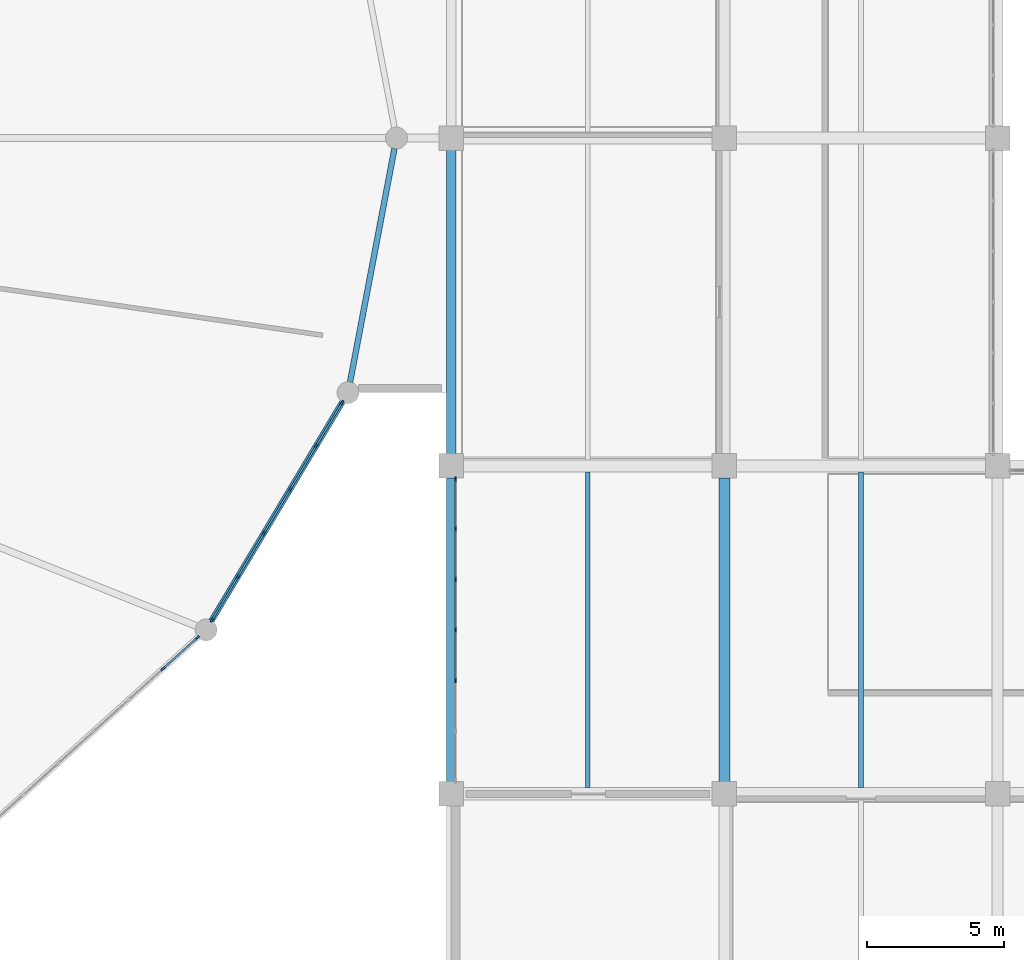
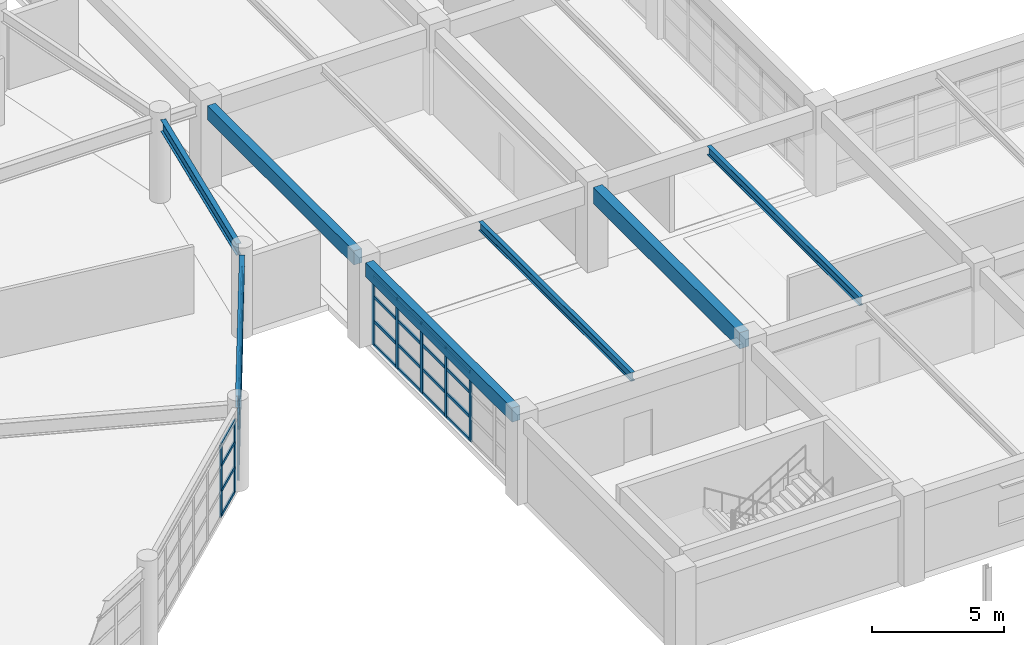
# One storey, part 41 of 100: 53 members, 7 beams, 3 elements without a shape of their own.
"""IFC4 building model written with IfcOpenShell, lengths in metres."""

import ifcopenshell
import ifcopenshell.guid

model = None  # the IFC model being written
_history = None  # IfcOwnerHistory: only IFC2X3 demands one
_inside = {}  # id of a spatial element -> (the spatial element, [elements in it])
_under = {}  # id of a project, library or spatial element -> (it, [spatial elements below it])
_declared = {}  # id of a project -> (the project, [libraries it declares])
_typed = {}  # id of a type object -> (the type object, [elements of that type])
_made_of = {}  # id of a material, layer set ... -> (it, [elements and type objects made of it])


def new_model(schema):
    """Start an empty IFC model of exactly this schema.

    Asked for "IFC4X3", IfcOpenShell would pick the latest addendum, in which some entities
    have other attributes; the version numbers below select the first issue.
    IFC2X3 requires an IfcOwnerHistory on every rooted entity: one is made here for all.
    """
    global model, _history
    if schema == "IFC4X3":
        model = ifcopenshell.file(schema_version=(4, 3, 0, 0))
    else:
        model = ifcopenshell.file(schema=schema)
    _inside.clear()
    _under.clear()
    _declared.clear()
    _typed.clear()
    _made_of.clear()
    _history = None
    if model.schema == "IFC2X3":
        org = make("IfcOrganization", Name="unknown")
        user = make(
            "IfcPersonAndOrganization",
            ThePerson=make("IfcPerson", FamilyName="unknown"),
            TheOrganization=org,
        )
        app = make(
            "IfcApplication",
            ApplicationDeveloper=org,
            Version="unknown",
            ApplicationFullName="unknown",
            ApplicationIdentifier="unknown",
        )
        _history = make(
            "IfcOwnerHistory",
            OwningUser=user,
            OwningApplication=app,
            ChangeAction="ADDED",
            CreationDate=0,
        )
    return model


def make(cls, **values):
    """One entity of the class cls with the attributes given. An attribute that is None is left unset."""
    return model.create_entity(
        cls, **{name: value for name, value in values.items() if value is not None}
    )


def rooted(cls, **values):
    """An entity with a GlobalId (a new one), such as an element, a storey or a relation."""
    return make(cls, GlobalId=ifcopenshell.guid.new(), OwnerHistory=_history, **values)


def si_unit(unit_type, name, prefix=None):
    """IfcSIUnit, for example si_unit("LENGTHUNIT", "METRE", prefix="MILLI")."""
    return make("IfcSIUnit", UnitType=unit_type, Prefix=prefix, Name=name)


def assignment(units):
    """IfcUnitAssignment: the units of a project."""
    return None if units is None else make("IfcUnitAssignment", Units=units)


def point(xyz):
    """IfcCartesianPoint."""
    return None if xyz is None else make("IfcCartesianPoint", Coordinates=xyz)


def direction(xyz):
    """IfcDirection."""
    return None if xyz is None else make("IfcDirection", DirectionRatios=xyz)


def frame(location, z_axis=None, x_axis=None):
    """IfcAxis2Placement3D, a coordinate frame: its origin and axes. An axis left out is left unset."""
    return make(
        "IfcAxis2Placement3D",
        Location=point(location),
        Axis=direction(z_axis),
        RefDirection=direction(x_axis),
    )


def frame_2d(location, x_axis=None):
    """IfcAxis2Placement2D, a coordinate frame in the plane: its origin and x axis."""
    return make(
        "IfcAxis2Placement2D", Location=point(location), RefDirection=direction(x_axis)
    )


def origin():
    """The frame at (0, 0, 0) with its axes left unset."""
    return frame((0.0, 0.0, 0.0))


def origin_2d():
    """The frame at (0, 0) in the plane with its x axis left unset."""
    return frame_2d((0.0, 0.0))


def place(relative_to, where):
    """IfcLocalPlacement: puts the frame where relative to a parent placement (None: the world)."""
    return make(
        "IfcLocalPlacement", PlacementRelTo=relative_to, RelativePlacement=where
    )


def context(
    kind, dimensions, precision=None, world=None, true_north=None, identifier=None
):
    """IfcGeometricRepresentationContext, for example the 3D "Model" context."""
    return make(
        "IfcGeometricRepresentationContext",
        ContextIdentifier=identifier,
        ContextType=kind,
        CoordinateSpaceDimension=dimensions,
        Precision=precision,
        WorldCoordinateSystem=world,
        TrueNorth=true_north,
    )


def subcontext(parent, identifier, kind, view, scale=None):
    """IfcGeometricRepresentationSubContext, for example "Body" below "Model"."""
    return make(
        "IfcGeometricRepresentationSubContext",
        ContextIdentifier=identifier,
        ContextType=kind,
        ParentContext=parent,
        TargetScale=scale,
        TargetView=view,
    )


def project(units=None, contexts=None):
    """IfcProject with its units and contexts."""
    return rooted(
        "IfcProject",
        Name="project",
        RepresentationContexts=contexts,
        UnitsInContext=assignment(units),
    )


def spatial(cls, under=None, at=None, **own):
    """A site, building, storey or space (cls), placed at a placement, below another one or the project."""
    s = rooted(cls, ObjectPlacement=at, **own)
    if under is not None:
        _under.setdefault(under.id(), (under, []))[1].append(s)
    return s


def profile(cls, at=None, kind="AREA", **sizes):
    """A parametric profile (cls). Its sizes go by their IFC names, for example OverallWidth=200.0."""
    return make(cls, ProfileType=kind, Position=at, **sizes)


def rectangle(**sizes):
    """IfcRectangleProfileDef."""
    return profile("IfcRectangleProfileDef", **sizes)


def i_section(**sizes):
    """IfcIShapeProfileDef."""
    return profile("IfcIShapeProfileDef", **sizes)


def extrude(swept, where, along, depth):
    """IfcExtrudedAreaSolid: the profile swept, set in the frame where, extruded along a direction by depth."""
    return make(
        "IfcExtrudedAreaSolid",
        SweptArea=swept,
        Position=where,
        ExtrudedDirection=direction(along),
        Depth=depth,
    )


def shape(context_of_items, identifier, shape_type, items):
    """IfcShapeRepresentation: the items that make up one representation, for example the "Body"."""
    return make(
        "IfcShapeRepresentation",
        ContextOfItems=context_of_items,
        RepresentationIdentifier=identifier,
        RepresentationType=shape_type,
        Items=items,
    )


def material(Name=None, Category=None):
    """IfcMaterial."""
    return make("IfcMaterial", Name=Name, Category=Category)


def layer(
    of_material, thickness, ventilated=None, Name=None, Category=None, Priority=None
):
    """IfcMaterialLayer: one layer of a wall or slab, of a material (None: an air gap)."""
    return make(
        "IfcMaterialLayer",
        Material=of_material,
        LayerThickness=thickness,
        IsVentilated=ventilated,
        Name=Name,
        Category=Category,
        Priority=Priority,
    )


def layer_set(layers, Name=None):
    """IfcMaterialLayerSet."""
    return make("IfcMaterialLayerSet", MaterialLayers=layers, LayerSetName=Name)


def material_profile(
    of_material, cross_section, Name=None, Category=None, Priority=None
):
    """IfcMaterialProfile: a cross section and its material."""
    return make(
        "IfcMaterialProfile",
        Name=Name,
        Material=of_material,
        Profile=cross_section,
        Priority=Priority,
        Category=Category,
    )


def profile_set(profiles, Name=None, composite=None):
    """IfcMaterialProfileSet."""
    return make(
        "IfcMaterialProfileSet",
        Name=Name,
        MaterialProfiles=profiles,
        CompositeProfile=composite,
    )


def made_of(thing, what):
    """Note that an element or type object is made of a material, layer set ...; save() writes the relation."""
    if what is not None:
        _made_of.setdefault(what.id(), (what, []))[1].append(thing)
    return thing


def type_object(cls, material=None, **own):
    """A type object (cls), such as IfcWallType, which elements share."""
    return made_of(rooted(cls, **own), material)


def element(
    cls,
    number,
    at=None,
    inside=None,
    cuts=None,
    type_object=None,
    material=None,
    context=None,
    identifier="Body",
    shape_type=None,
    held_by="IfcProductDefinitionShape",
    body=None,
    shapes=None,
    **own,
):
    """One element of the class cls, such as IfcWall. Its Tag is "e" and its number.

    at: its placement. inside: the storey or other place that contains it. cuts: it is an
    opening in that element (IfcRelVoidsElement). A single representation is given by context,
    identifier, shape_type and body (its items); several are given by shapes. held_by: the class
    of the entity that holds the representations. save() writes the other relations.
    """
    e = rooted(cls, Tag="e%d" % number, ObjectPlacement=at, **own)
    if body is not None:
        shapes = [shape(context, identifier, shape_type, body)]
    if shapes is not None:
        e.Representation = make(held_by, Representations=shapes)
    if inside is not None:
        _inside.setdefault(inside.id(), (inside, []))[1].append(e)
    if cuts is not None:
        rooted(
            "IfcRelVoidsElement", RelatingBuildingElement=cuts, RelatedOpeningElement=e
        )
    if type_object is not None:
        _typed.setdefault(type_object.id(), (type_object, []))[1].append(e)
    return made_of(e, material)


def aggregate(whole, parts):
    """IfcRelAggregates: a whole, such as a stair, and the parts it consists of."""
    return rooted("IfcRelAggregates", RelatingObject=whole, RelatedObjects=parts)


def save(model, path):
    """Write the relations noted so far, then the file.

    IfcRelAggregates (storeys below a building ...), IfcRelContainedInSpatialStructure (elements
    in a storey), IfcRelDefinesByType, IfcRelAssociatesMaterial and IfcRelDeclares: one each for
    every whole, place, type object, material and project.
    """
    for whole, parts in _under.values():
        aggregate(whole, parts)
    for where, things in _inside.values():
        rooted(
            "IfcRelContainedInSpatialStructure",
            RelatedElements=things,
            RelatingStructure=where,
        )
    for kind, things in _typed.values():
        rooted("IfcRelDefinesByType", RelatedObjects=things, RelatingType=kind)
    for what, things in _made_of.values():
        rooted("IfcRelAssociatesMaterial", RelatedObjects=things, RelatingMaterial=what)
    for by, libraries in _declared.values():
        rooted("IfcRelDeclares", RelatingContext=by, RelatedDefinitions=libraries)
    model.write(path)


model = new_model("IFC4")

# Units and contexts
model_context = context("Model", 3, precision=1e-05, world=origin(), true_north=direction((0.0, 1.0)))
body_context = subcontext(model_context, "Body", "Model", "MODEL_VIEW")
ifc_project = project(units=[si_unit("LENGTHUNIT", "METRE"), si_unit("AREAUNIT", "SQUARE_METRE"), si_unit("VOLUMEUNIT", "CUBIC_METRE"), si_unit("PLANEANGLEUNIT", "RADIAN"), si_unit("MASSUNIT", "GRAM", prefix="KILO")], contexts=[model_context])

# Site, building, storey
site_placement = place(None, origin())
site = spatial("IfcSite", under=ifc_project, at=site_placement, CompositionType="ELEMENT")
building_placement = place(site_placement, origin())
building = spatial("IfcBuilding", under=site, at=building_placement, Name="Kivolera Central Railway Station", CompositionType="ELEMENT")
storey_placement = place(building_placement, frame((0.0, 0.0, 5.39990234375)))
storey = spatial("IfcBuildingStorey", under=building, at=storey_placement, Name="L01", CompositionType="ELEMENT", Elevation=5.39990234375)

# Beams
ifc_material_1 = material(Name="Steel S355", Category="steel")
ifc_material_profile_1 = material_profile(ifc_material_1, i_section(OverallWidth=0.179931640625, OverallDepth=0.39990234375, WebThickness=0.008544921875, FlangeThickness=0.013427734375, FilletRadius=0.02099609375, at=origin_2d()), Name="IPE 400")
ifc_profile_set_1 = profile_set([ifc_material_profile_1], Name="Steel S355")
beam_type_1 = type_object("IfcBeamType", Name="BM-JST-IPE400", PredefinedType="JOIST", material=ifc_profile_set_1)
for number, where, z_axis, x_axis, name in (
    (1, (123.0, 66.217041015625, 3.668212890625), (0.0, 1.0, 0.0), (-1.0, 0.0, 0.0), "L01 Floor Joist 12-13/F-G"),
    (2, (133.0, 66.217041015625, 3.668212890625), (0.0, 1.0, 0.0), (-1.0, 0.0, 0.0), "L01 Floor Joist 13-14/F-G"),
):
    element("IfcBeam", number, at=place(storey_placement, frame(where, z_axis=z_axis, x_axis=x_axis)), inside=storey, type_object=beam_type_1, Name=name, PredefinedType="JOIST", context=body_context, shape_type="SweptSolid", body=[
        extrude(i_section(OverallWidth=0.179931640625, OverallDepth=0.39990234375, WebThickness=0.008544921875, FlangeThickness=0.013427734375, FilletRadius=0.02099609375, at=origin_2d()), origin(), (0.0, 0.0, 1.0), 11.56591796875),
    ])
ifc_material_2 = material(Name="Concrete C40/50", Category="concrete")
ifc_material_profile_2 = material_profile(ifc_material_2, rectangle(XDim=0.39990234375, YDim=0.75, at=origin_2d()), Name="RC 400x750")
ifc_profile_set_2 = profile_set([ifc_material_profile_2], Name="Concrete C40/50")
beam_type_2 = type_object("IfcBeamType", Name="BM-RC-400x750", PredefinedType="BEAM", material=ifc_profile_set_2)
beam_1_placement = place(storey_placement, frame((128.0, 66.44189453125, 3.505126953125), z_axis=(0.0, 1.0, 0.0), x_axis=(-1.0, 0.0, 0.0)))
element("IfcBeam", 3, at=beam_1_placement, inside=storey, type_object=beam_type_2, Name="L01 Wing Y-Beam 13:F-G", PredefinedType="BEAM", context=body_context, shape_type="SweptSolid", body=[
    extrude(rectangle(XDim=0.39990234375, YDim=0.75, at=origin_2d()), origin(), (0.0, 0.0, 1.0), 11.1162109375),
])
ifc_material_profile_3 = material_profile(ifc_material_1, i_section(OverallWidth=0.209228515625, OverallDepth=0.533203125, WebThickness=0.010009765625, FlangeThickness=0.015625, FilletRadius=0.0126953125, at=origin_2d()), Name="UB 533x210x92")
ifc_profile_set_3 = profile_set([ifc_material_profile_3], Name="Steel S355")
beam_type_3 = type_object("IfcBeamType", Name="BM-SHD-UB533", PredefinedType="BEAM", material=ifc_profile_set_3)
beam_2_placement = place(storey_placement, frame((109.23291015625, 72.3349609375, 3.611083984375), z_axis=(0.513503459376, 0.858087523047, 0.0), x_axis=(-0.858087523047, 0.513503459376, 0.0)))
element("IfcBeam", 4, at=beam_2_placement, inside=storey, type_object=beam_type_3, Name="L01 Oval Perimeter Ring Beam 23", PredefinedType="BEAM", context=body_context, shape_type="SweptSolid", body=[
    extrude(i_section(OverallWidth=0.209228515625, OverallDepth=0.533203125, WebThickness=0.010009765625, FlangeThickness=0.015625, FilletRadius=0.0126953125, at=origin_2d()), origin(), (0.0, 0.0, 1.0), 9.338134765625),
])
beam_3_placement = place(storey_placement, frame((114.301025390625, 81.06591796875, 3.611083984375), z_axis=(0.186802767636, 0.982397437906, 0.0), x_axis=(-0.982397437906, 0.186802767636, 0.0)))
element("IfcBeam", 5, at=beam_3_placement, inside=storey, type_object=beam_type_3, Name="L01 Oval Perimeter Ring Beam 24", PredefinedType="BEAM", context=body_context, shape_type="SweptSolid", body=[
    extrude(i_section(OverallWidth=0.209228515625, OverallDepth=0.533203125, WebThickness=0.010009765625, FlangeThickness=0.015625, FilletRadius=0.0126953125, at=origin_2d()), origin(), (0.0, 0.0, 1.0), 8.704345703125),
])
ifc_material_profile_4 = material_profile(ifc_material_2, rectangle(XDim=0.35009765625, YDim=0.64990234375, at=origin_2d()), Name="RC 350x650")
ifc_profile_set_4 = profile_set([ifc_material_profile_4], Name="Concrete C40/50")
beam_type_4 = type_object("IfcBeamType", Name="BM-SPN-RC650", PredefinedType="SPANDREL", material=ifc_profile_set_4)
for number, where, z_axis, x_axis, name in (
    (6, (118.0, 66.44189453125, 3.55517578125), (0.0, 1.0, 0.0), (-1.0, 0.0, 0.0), "L01 Wing Y-Beam 12:F-G"),
    (7, (118.0, 78.44189453125, 3.55517578125), (0.0, 1.0, 0.0), (-1.0, 0.0, 0.0), "L01 Wing Y-Beam 12:G-H"),
):
    element("IfcBeam", number, at=place(storey_placement, frame(where, z_axis=z_axis, x_axis=x_axis)), inside=storey, type_object=beam_type_4, Name=name, PredefinedType="SPANDREL", context=body_context, shape_type="SweptSolid", body=[
        extrude(rectangle(XDim=0.35009765625, YDim=0.64990234375, at=origin_2d()), origin(), (0.0, 0.0, 1.0), 11.1162109375),
    ])

# Curtain wall, members
ifc_material_3 = material(Name="Anodised aluminium", Category="aluminium")
ifc_layer_1 = layer(ifc_material_3, 0.179931640625, Name="Anodised aluminium")
ifc_layer_set_1 = layer_set([ifc_layer_1], Name="Anodised aluminium")
curtain_wall_type_1 = type_object("IfcCurtainWallType", Name="CW-SYS-05", PredefinedType="NOTDEFINED", material=ifc_layer_set_1)
curtain_wall_1_placement = place(storey_placement, origin())
curtain_wall_1 = element("IfcCurtainWall", 8, at=curtain_wall_1_placement, inside=storey, type_object=curtain_wall_type_1, Name="L01 Curtain Wall CW-L01-OVL-21", PredefinedType="NOTDEFINED")
ifc_material_profile_5 = material_profile(ifc_material_3, rectangle(XDim=0.070068359375, YDim=0.179931640625, at=origin_2d()), Name="ALU MULL 70x180")
ifc_profile_set_5 = profile_set([ifc_material_profile_5], Name="Anodised aluminium")
member_type_1 = type_object("IfcMemberType", Name="CWM-MUL-1", PredefinedType="MULLION", material=ifc_profile_set_5)
member_1_placement = place(storey_placement, frame((108.7099609375, 71.70849609375, -0.0048828125), z_axis=(0.0, 0.0, 1.0), x_axis=(0.66992157428, -0.742431871833, 0.0)))
member_1 = element("IfcMember", 9, at=member_1_placement, type_object=member_type_1, Name="CW-05 mullion 1", PredefinedType="MULLION", context=body_context, shape_type="SweptSolid", body=[
    extrude(rectangle(XDim=0.070068359375, YDim=0.179931640625, at=origin_2d()), origin(), (0.0, 0.0, 1.0), 3.344970703125),
])
member_2_placement = place(storey_placement, frame((107.457763671875, 70.57861328125, -0.0048828125), z_axis=(0.0, 0.0, 1.0), x_axis=(0.66992157428, -0.742431871833, 0.0)))
member_2 = element("IfcMember", 10, at=member_2_placement, type_object=member_type_1, Name="CW-05 mullion 2", PredefinedType="MULLION", context=body_context, shape_type="SweptSolid", body=[
    extrude(rectangle(XDim=0.070068359375, YDim=0.179931640625, at=origin_2d()), origin(), (0.0, 0.0, 1.0), 3.344970703125),
])

ifc_layer_2 = layer(ifc_material_3, 0.179931640625, Name="Anodised aluminium")
ifc_layer_set_2 = layer_set([ifc_layer_2], Name="Anodised aluminium")
curtain_wall_type_2 = type_object("IfcCurtainWallType", Name="CW-SYS-02", PredefinedType="NOTDEFINED", material=ifc_layer_set_2)
curtain_wall_2_placement = place(storey_placement, origin())
curtain_wall_2 = element("IfcCurtainWall", 11, at=curtain_wall_2_placement, inside=storey, type_object=curtain_wall_type_2, Name="L01 Curtain Wall CW-L01-OVL-22", PredefinedType="NOTDEFINED")
member_3_placement = place(storey_placement, frame((114.005126953125, 80.31005859375, -0.0048828125), z_axis=(0.0, 0.0, 1.0), x_axis=(0.858117186396, -0.513453887327, 0.0)))
member_3 = element("IfcMember", 12, at=member_3_placement, type_object=member_type_1, Name="CW-02 mullion 1", PredefinedType="MULLION", context=body_context, shape_type="SweptSolid", body=[
    extrude(rectangle(XDim=0.070068359375, YDim=0.179931640625, at=origin_2d()), origin(), (0.0, 0.0, 1.0), 3.344970703125),
])
member_4_placement = place(storey_placement, frame((113.06591796875, 78.740478515625, -0.0048828125), z_axis=(0.0, 0.0, 1.0), x_axis=(0.858117186396, -0.513453887327, 0.0)))
member_4 = element("IfcMember", 13, at=member_4_placement, type_object=member_type_1, Name="CW-02 mullion 2", PredefinedType="MULLION", context=body_context, shape_type="SweptSolid", body=[
    extrude(rectangle(XDim=0.070068359375, YDim=0.179931640625, at=origin_2d()), origin(), (0.0, 0.0, 1.0), 3.344970703125),
])
member_5_placement = place(storey_placement, frame((112.10888671875, 77.14111328125, -0.0048828125), z_axis=(0.0, 0.0, 1.0), x_axis=(0.858117186396, -0.513453887327, 0.0)))
member_5 = element("IfcMember", 14, at=member_5_placement, type_object=member_type_1, Name="CW-02 mullion 3", PredefinedType="MULLION", context=body_context, shape_type="SweptSolid", body=[
    extrude(rectangle(XDim=0.070068359375, YDim=0.179931640625, at=origin_2d()), origin(), (0.0, 0.0, 1.0), 3.344970703125),
])
member_6_placement = place(storey_placement, frame((111.152099609375, 75.541748046875, -0.0048828125), z_axis=(0.0, 0.0, 1.0), x_axis=(0.858117186396, -0.513453887327, 0.0)))
member_6 = element("IfcMember", 15, at=member_6_placement, type_object=member_type_1, Name="CW-02 mullion 4", PredefinedType="MULLION", context=body_context, shape_type="SweptSolid", body=[
    extrude(rectangle(XDim=0.070068359375, YDim=0.179931640625, at=origin_2d()), origin(), (0.0, 0.0, 1.0), 3.344970703125),
])
member_7_placement = place(storey_placement, frame((110.195068359375, 73.9423828125, -0.0048828125), z_axis=(0.0, 0.0, 1.0), x_axis=(0.858117186396, -0.513453887327, 0.0)))
member_7 = element("IfcMember", 16, at=member_7_placement, type_object=member_type_1, Name="CW-02 mullion 5", PredefinedType="MULLION", context=body_context, shape_type="SweptSolid", body=[
    extrude(rectangle(XDim=0.070068359375, YDim=0.179931640625, at=origin_2d()), origin(), (0.0, 0.0, 1.0), 3.344970703125),
])
member_8_placement = place(storey_placement, frame((109.255859375, 72.373046875, -0.0048828125), z_axis=(0.0, 0.0, 1.0), x_axis=(0.858117186396, -0.513453887327, 0.0)))
member_8 = element("IfcMember", 17, at=member_8_placement, type_object=member_type_1, Name="CW-02 mullion 6", PredefinedType="MULLION", context=body_context, shape_type="SweptSolid", body=[
    extrude(rectangle(XDim=0.070068359375, YDim=0.179931640625, at=origin_2d()), origin(), (0.0, 0.0, 1.0), 3.344970703125),
])

ifc_layer_3 = layer(ifc_material_3, 0.179931640625, Name="Anodised aluminium")
ifc_layer_set_3 = layer_set([ifc_layer_3], Name="Anodised aluminium")
curtain_wall_type_3 = type_object("IfcCurtainWallType", Name="CW-SYS-26", PredefinedType="NOTDEFINED", material=ifc_layer_set_3)
curtain_wall_3_placement = place(storey_placement, origin())
curtain_wall_3 = element("IfcCurtainWall", 18, at=curtain_wall_3_placement, inside=storey, type_object=curtain_wall_type_3, Name="L01 Curtain Wall CW-L01-WEST-F", PredefinedType="NOTDEFINED")
member_9_placement = place(storey_placement, frame((118.159912109375, 70.1484375, -0.0048828125), z_axis=(0.0, 0.0, 1.0), x_axis=(-1.0, 0.0, 0.0)))
member_9 = element("IfcMember", 19, at=member_9_placement, type_object=member_type_1, Name="CW-26 mullion 3", PredefinedType="MULLION", context=body_context, shape_type="SweptSolid", body=[
    extrude(rectangle(XDim=0.070068359375, YDim=0.179931640625, at=origin_2d()), origin(), (0.0, 0.0, 1.0), 3.222900390625),
])
member_10_placement = place(storey_placement, frame((118.159912109375, 72.0, -0.0048828125), z_axis=(0.0, 0.0, 1.0), x_axis=(-1.0, 0.0, 0.0)))
member_10 = element("IfcMember", 20, at=member_10_placement, type_object=member_type_1, Name="CW-26 mullion 4", PredefinedType="MULLION", context=body_context, shape_type="SweptSolid", body=[
    extrude(rectangle(XDim=0.070068359375, YDim=0.179931640625, at=origin_2d()), origin(), (0.0, 0.0, 1.0), 3.222900390625),
])
member_11_placement = place(storey_placement, frame((118.159912109375, 73.8515625, -0.0048828125), z_axis=(0.0, 0.0, 1.0), x_axis=(-1.0, 0.0, 0.0)))
member_11 = element("IfcMember", 21, at=member_11_placement, type_object=member_type_1, Name="CW-26 mullion 5", PredefinedType="MULLION", context=body_context, shape_type="SweptSolid", body=[
    extrude(rectangle(XDim=0.070068359375, YDim=0.179931640625, at=origin_2d()), origin(), (0.0, 0.0, 1.0), 3.222900390625),
])
member_12_placement = place(storey_placement, frame((118.159912109375, 75.703369140625, -0.0048828125), z_axis=(0.0, 0.0, 1.0), x_axis=(-1.0, 0.0, 0.0)))
member_12 = element("IfcMember", 22, at=member_12_placement, type_object=member_type_1, Name="CW-26 mullion 6", PredefinedType="MULLION", context=body_context, shape_type="SweptSolid", body=[
    extrude(rectangle(XDim=0.070068359375, YDim=0.179931640625, at=origin_2d()), origin(), (0.0, 0.0, 1.0), 3.222900390625),
])
member_13_placement = place(storey_placement, frame((118.159912109375, 77.52001953125, -0.0048828125), z_axis=(0.0, 0.0, 1.0), x_axis=(-1.0, 0.0, 0.0)))
member_13 = element("IfcMember", 23, at=member_13_placement, type_object=member_type_1, Name="CW-26 mullion 7", PredefinedType="MULLION", context=body_context, shape_type="SweptSolid", body=[
    extrude(rectangle(XDim=0.070068359375, YDim=0.179931640625, at=origin_2d()), origin(), (0.0, 0.0, 1.0), 3.222900390625),
])

# Member
ifc_material_profile_6 = material_profile(ifc_material_3, rectangle(XDim=0.070068359375, YDim=0.139892578125, at=origin_2d()), Name="ALU TRAN 70x140")
ifc_profile_set_6 = profile_set([ifc_material_profile_6], Name="Anodised aluminium")
member_type_2 = type_object("IfcMemberType", Name="CWM-TRN-1", PredefinedType="USERDEFINED", material=ifc_profile_set_6)
member_14_placement = place(storey_placement, frame((108.68408203125, 71.68505859375, 0.03515625), z_axis=(-0.742422429893, -0.66993203804, 0.0), x_axis=(0.66993203804, -0.742422429893, 0.0)))
member_14 = element("IfcMember", 24, at=member_14_placement, type_object=member_type_2, Name="CW-05 transom 1.1", ObjectType="TRANSOM", PredefinedType="USERDEFINED", context=body_context, shape_type="SweptSolid", body=[
    extrude(rectangle(XDim=0.070068359375, YDim=0.139892578125, at=origin_2d()), origin(), (0.0, 0.0, 1.0), 1.61669921875),
])

member_15_placement = place(storey_placement, frame((108.68408203125, 71.68505859375, 1.169189453125), z_axis=(-0.742422429893, -0.66993203804, 0.0), x_axis=(0.66993203804, -0.742422429893, 0.0)))
member_15 = element("IfcMember", 25, at=member_15_placement, type_object=member_type_2, Name="CW-05 transom 1.2", ObjectType="TRANSOM", PredefinedType="USERDEFINED", context=body_context, shape_type="SweptSolid", body=[
    extrude(rectangle(XDim=0.070068359375, YDim=0.139892578125, at=origin_2d()), origin(), (0.0, 0.0, 1.0), 1.61669921875),
])

member_16_placement = place(storey_placement, frame((108.68408203125, 71.68505859375, 2.338134765625), z_axis=(-0.742422429893, -0.66993203804, 0.0), x_axis=(0.66993203804, -0.742422429893, 0.0)))
member_16 = element("IfcMember", 26, at=member_16_placement, type_object=member_type_2, Name="CW-05 transom 1.3", ObjectType="TRANSOM", PredefinedType="USERDEFINED", context=body_context, shape_type="SweptSolid", body=[
    extrude(rectangle(XDim=0.070068359375, YDim=0.139892578125, at=origin_2d()), origin(), (0.0, 0.0, 1.0), 1.61669921875),
])

member_17_placement = place(storey_placement, frame((108.68408203125, 71.68505859375, 3.30517578125), z_axis=(-0.742422429893, -0.66993203804, 0.0), x_axis=(0.66993203804, -0.742422429893, 0.0)))
member_17 = element("IfcMember", 27, at=member_17_placement, type_object=member_type_2, Name="CW-05 transom 1.4", ObjectType="TRANSOM", PredefinedType="USERDEFINED", context=body_context, shape_type="SweptSolid", body=[
    extrude(rectangle(XDim=0.070068359375, YDim=0.139892578125, at=origin_2d()), origin(), (0.0, 0.0, 1.0), 1.61669921875),
])

aggregate(curtain_wall_1, [member_1, member_2, member_14, member_15, member_16, member_17])

member_18_placement = place(storey_placement, frame((113.987060546875, 80.280029296875, 0.03515625), z_axis=(-0.513454309114, -0.85811693402, 0.0), x_axis=(0.85811693402, -0.513454309114, 0.0)))
member_18 = element("IfcMember", 28, at=member_18_placement, type_object=member_type_2, Name="CW-02 transom 1.1", ObjectType="TRANSOM", PredefinedType="USERDEFINED", context=body_context, shape_type="SweptSolid", body=[
    extrude(rectangle(XDim=0.070068359375, YDim=0.139892578125, at=origin_2d()), origin(), (0.0, 0.0, 1.0), 1.7587890625),
])

member_19_placement = place(storey_placement, frame((113.987060546875, 80.280029296875, 1.169189453125), z_axis=(-0.513454309114, -0.85811693402, 0.0), x_axis=(0.85811693402, -0.513454309114, 0.0)))
member_19 = element("IfcMember", 29, at=member_19_placement, type_object=member_type_2, Name="CW-02 transom 1.2", ObjectType="TRANSOM", PredefinedType="USERDEFINED", context=body_context, shape_type="SweptSolid", body=[
    extrude(rectangle(XDim=0.070068359375, YDim=0.139892578125, at=origin_2d()), origin(), (0.0, 0.0, 1.0), 1.7587890625),
])

member_20_placement = place(storey_placement, frame((113.987060546875, 80.280029296875, 2.338134765625), z_axis=(-0.513454309114, -0.85811693402, 0.0), x_axis=(0.85811693402, -0.513454309114, 0.0)))
member_20 = element("IfcMember", 30, at=member_20_placement, type_object=member_type_2, Name="CW-02 transom 1.3", ObjectType="TRANSOM", PredefinedType="USERDEFINED", context=body_context, shape_type="SweptSolid", body=[
    extrude(rectangle(XDim=0.070068359375, YDim=0.139892578125, at=origin_2d()), origin(), (0.0, 0.0, 1.0), 1.7587890625),
])

member_21_placement = place(storey_placement, frame((113.987060546875, 80.280029296875, 3.30517578125), z_axis=(-0.513454309114, -0.85811693402, 0.0), x_axis=(0.85811693402, -0.513454309114, 0.0)))
member_21 = element("IfcMember", 31, at=member_21_placement, type_object=member_type_2, Name="CW-02 transom 1.4", ObjectType="TRANSOM", PredefinedType="USERDEFINED", context=body_context, shape_type="SweptSolid", body=[
    extrude(rectangle(XDim=0.070068359375, YDim=0.139892578125, at=origin_2d()), origin(), (0.0, 0.0, 1.0), 1.7587890625),
])

member_22_placement = place(storey_placement, frame((113.048095703125, 78.71044921875, 0.03515625), z_axis=(-0.513494690452, -0.858092770554, 0.0), x_axis=(0.858092770554, -0.513494690452, 0.0)))
member_22 = element("IfcMember", 32, at=member_22_placement, type_object=member_type_2, Name="CW-02 transom 2.1", ObjectType="TRANSOM", PredefinedType="USERDEFINED", context=body_context, shape_type="SweptSolid", body=[
    extrude(rectangle(XDim=0.070068359375, YDim=0.139892578125, at=origin_2d()), origin(), (0.0, 0.0, 1.0), 1.7939453125),
])

member_23_placement = place(storey_placement, frame((113.048095703125, 78.71044921875, 1.169189453125), z_axis=(-0.513494690452, -0.858092770554, 0.0), x_axis=(0.858092770554, -0.513494690452, 0.0)))
member_23 = element("IfcMember", 33, at=member_23_placement, type_object=member_type_2, Name="CW-02 transom 2.2", ObjectType="TRANSOM", PredefinedType="USERDEFINED", context=body_context, shape_type="SweptSolid", body=[
    extrude(rectangle(XDim=0.070068359375, YDim=0.139892578125, at=origin_2d()), origin(), (0.0, 0.0, 1.0), 1.7939453125),
])

member_24_placement = place(storey_placement, frame((113.048095703125, 78.71044921875, 2.338134765625), z_axis=(-0.513494690452, -0.858092770554, 0.0), x_axis=(0.858092770554, -0.513494690452, 0.0)))
member_24 = element("IfcMember", 34, at=member_24_placement, type_object=member_type_2, Name="CW-02 transom 2.3", ObjectType="TRANSOM", PredefinedType="USERDEFINED", context=body_context, shape_type="SweptSolid", body=[
    extrude(rectangle(XDim=0.070068359375, YDim=0.139892578125, at=origin_2d()), origin(), (0.0, 0.0, 1.0), 1.7939453125),
])

member_25_placement = place(storey_placement, frame((113.048095703125, 78.71044921875, 3.30517578125), z_axis=(-0.513494690452, -0.858092770554, 0.0), x_axis=(0.858092770554, -0.513494690452, 0.0)))
member_25 = element("IfcMember", 35, at=member_25_placement, type_object=member_type_2, Name="CW-02 transom 2.4", ObjectType="TRANSOM", PredefinedType="USERDEFINED", context=body_context, shape_type="SweptSolid", body=[
    extrude(rectangle(XDim=0.070068359375, YDim=0.139892578125, at=origin_2d()), origin(), (0.0, 0.0, 1.0), 1.7939453125),
])

member_26_placement = place(storey_placement, frame((112.091064453125, 77.111083984375, 0.03515625), z_axis=(-0.513494690452, -0.858092770554, 0.0), x_axis=(0.858092770554, -0.513494690452, 0.0)))
member_26 = element("IfcMember", 36, at=member_26_placement, type_object=member_type_2, Name="CW-02 transom 3.1", ObjectType="TRANSOM", PredefinedType="USERDEFINED", context=body_context, shape_type="SweptSolid", body=[
    extrude(rectangle(XDim=0.070068359375, YDim=0.139892578125, at=origin_2d()), origin(), (0.0, 0.0, 1.0), 1.7939453125),
])

member_27_placement = place(storey_placement, frame((112.091064453125, 77.111083984375, 1.169189453125), z_axis=(-0.513494690452, -0.858092770554, 0.0), x_axis=(0.858092770554, -0.513494690452, 0.0)))
member_27 = element("IfcMember", 37, at=member_27_placement, type_object=member_type_2, Name="CW-02 transom 3.2", ObjectType="TRANSOM", PredefinedType="USERDEFINED", context=body_context, shape_type="SweptSolid", body=[
    extrude(rectangle(XDim=0.070068359375, YDim=0.139892578125, at=origin_2d()), origin(), (0.0, 0.0, 1.0), 1.7939453125),
])

member_28_placement = place(storey_placement, frame((112.091064453125, 77.111083984375, 2.338134765625), z_axis=(-0.513494690452, -0.858092770554, 0.0), x_axis=(0.858092770554, -0.513494690452, 0.0)))
member_28 = element("IfcMember", 38, at=member_28_placement, type_object=member_type_2, Name="CW-02 transom 3.3", ObjectType="TRANSOM", PredefinedType="USERDEFINED", context=body_context, shape_type="SweptSolid", body=[
    extrude(rectangle(XDim=0.070068359375, YDim=0.139892578125, at=origin_2d()), origin(), (0.0, 0.0, 1.0), 1.7939453125),
])

member_29_placement = place(storey_placement, frame((112.091064453125, 77.111083984375, 3.30517578125), z_axis=(-0.513494690452, -0.858092770554, 0.0), x_axis=(0.858092770554, -0.513494690452, 0.0)))
member_29 = element("IfcMember", 39, at=member_29_placement, type_object=member_type_2, Name="CW-02 transom 3.4", ObjectType="TRANSOM", PredefinedType="USERDEFINED", context=body_context, shape_type="SweptSolid", body=[
    extrude(rectangle(XDim=0.070068359375, YDim=0.139892578125, at=origin_2d()), origin(), (0.0, 0.0, 1.0), 1.7939453125),
])

member_30_placement = place(storey_placement, frame((111.134033203125, 75.51171875, 0.03515625), z_axis=(-0.513494690452, -0.858092770554, 0.0), x_axis=(0.858092770554, -0.513494690452, 0.0)))
member_30 = element("IfcMember", 40, at=member_30_placement, type_object=member_type_2, Name="CW-02 transom 4.1", ObjectType="TRANSOM", PredefinedType="USERDEFINED", context=body_context, shape_type="SweptSolid", body=[
    extrude(rectangle(XDim=0.070068359375, YDim=0.139892578125, at=origin_2d()), origin(), (0.0, 0.0, 1.0), 1.7939453125),
])

member_31_placement = place(storey_placement, frame((111.134033203125, 75.51171875, 1.169189453125), z_axis=(-0.513494690452, -0.858092770554, 0.0), x_axis=(0.858092770554, -0.513494690452, 0.0)))
member_31 = element("IfcMember", 41, at=member_31_placement, type_object=member_type_2, Name="CW-02 transom 4.2", ObjectType="TRANSOM", PredefinedType="USERDEFINED", context=body_context, shape_type="SweptSolid", body=[
    extrude(rectangle(XDim=0.070068359375, YDim=0.139892578125, at=origin_2d()), origin(), (0.0, 0.0, 1.0), 1.7939453125),
])

member_32_placement = place(storey_placement, frame((111.134033203125, 75.51171875, 2.338134765625), z_axis=(-0.513494690452, -0.858092770554, 0.0), x_axis=(0.858092770554, -0.513494690452, 0.0)))
member_32 = element("IfcMember", 42, at=member_32_placement, type_object=member_type_2, Name="CW-02 transom 4.3", ObjectType="TRANSOM", PredefinedType="USERDEFINED", context=body_context, shape_type="SweptSolid", body=[
    extrude(rectangle(XDim=0.070068359375, YDim=0.139892578125, at=origin_2d()), origin(), (0.0, 0.0, 1.0), 1.7939453125),
])

member_33_placement = place(storey_placement, frame((111.134033203125, 75.51171875, 3.30517578125), z_axis=(-0.513494690452, -0.858092770554, 0.0), x_axis=(0.858092770554, -0.513494690452, 0.0)))
member_33 = element("IfcMember", 43, at=member_33_placement, type_object=member_type_2, Name="CW-02 transom 4.4", ObjectType="TRANSOM", PredefinedType="USERDEFINED", context=body_context, shape_type="SweptSolid", body=[
    extrude(rectangle(XDim=0.070068359375, YDim=0.139892578125, at=origin_2d()), origin(), (0.0, 0.0, 1.0), 1.7939453125),
])

member_34_placement = place(storey_placement, frame((110.177001953125, 73.912353515625, 0.03515625), z_axis=(-0.513454309114, -0.85811693402, 0.0), x_axis=(0.85811693402, -0.513454309114, 0.0)))
member_34 = element("IfcMember", 44, at=member_34_placement, type_object=member_type_2, Name="CW-02 transom 5.1", ObjectType="TRANSOM", PredefinedType="USERDEFINED", context=body_context, shape_type="SweptSolid", body=[
    extrude(rectangle(XDim=0.070068359375, YDim=0.139892578125, at=origin_2d()), origin(), (0.0, 0.0, 1.0), 1.7587890625),
])

member_35_placement = place(storey_placement, frame((110.177001953125, 73.912353515625, 1.169189453125), z_axis=(-0.513454309114, -0.85811693402, 0.0), x_axis=(0.85811693402, -0.513454309114, 0.0)))
member_35 = element("IfcMember", 45, at=member_35_placement, type_object=member_type_2, Name="CW-02 transom 5.2", ObjectType="TRANSOM", PredefinedType="USERDEFINED", context=body_context, shape_type="SweptSolid", body=[
    extrude(rectangle(XDim=0.070068359375, YDim=0.139892578125, at=origin_2d()), origin(), (0.0, 0.0, 1.0), 1.7587890625),
])

member_36_placement = place(storey_placement, frame((110.177001953125, 73.912353515625, 2.338134765625), z_axis=(-0.513454309114, -0.85811693402, 0.0), x_axis=(0.85811693402, -0.513454309114, 0.0)))
member_36 = element("IfcMember", 46, at=member_36_placement, type_object=member_type_2, Name="CW-02 transom 5.3", ObjectType="TRANSOM", PredefinedType="USERDEFINED", context=body_context, shape_type="SweptSolid", body=[
    extrude(rectangle(XDim=0.070068359375, YDim=0.139892578125, at=origin_2d()), origin(), (0.0, 0.0, 1.0), 1.7587890625),
])

member_37_placement = place(storey_placement, frame((110.177001953125, 73.912353515625, 3.30517578125), z_axis=(-0.513454309114, -0.85811693402, 0.0), x_axis=(0.85811693402, -0.513454309114, 0.0)))
member_37 = element("IfcMember", 47, at=member_37_placement, type_object=member_type_2, Name="CW-02 transom 5.4", ObjectType="TRANSOM", PredefinedType="USERDEFINED", context=body_context, shape_type="SweptSolid", body=[
    extrude(rectangle(XDim=0.070068359375, YDim=0.139892578125, at=origin_2d()), origin(), (0.0, 0.0, 1.0), 1.7587890625),
])

aggregate(curtain_wall_2, [member_3, member_4, member_5, member_6, member_7, member_8, member_18, member_19, member_20, member_21, member_22, member_23, member_24, member_25, member_26, member_27, member_28, member_29, member_30, member_31, member_32, member_33, member_34, member_35, member_36, member_37])

member_38_placement = place(storey_placement, frame((118.159912109375, 70.183349609375, 0.03515625), z_axis=(0.0, 1.0, 0.0), x_axis=(-1.0, 0.0, 0.0)))
member_38 = element("IfcMember", 48, at=member_38_placement, type_object=member_type_2, Name="CW-26 transom 3.1", ObjectType="TRANSOM", PredefinedType="USERDEFINED", context=body_context, shape_type="SweptSolid", body=[
    extrude(rectangle(XDim=0.070068359375, YDim=0.139892578125, at=origin_2d()), origin(), (0.0, 0.0, 1.0), 1.78173828125),
])

member_39_placement = place(storey_placement, frame((118.159912109375, 70.183349609375, 1.12646484375), z_axis=(0.0, 1.0, 0.0), x_axis=(-1.0, 0.0, 0.0)))
member_39 = element("IfcMember", 49, at=member_39_placement, type_object=member_type_2, Name="CW-26 transom 3.2", ObjectType="TRANSOM", PredefinedType="USERDEFINED", context=body_context, shape_type="SweptSolid", body=[
    extrude(rectangle(XDim=0.070068359375, YDim=0.139892578125, at=origin_2d()), origin(), (0.0, 0.0, 1.0), 1.78173828125),
])

member_40_placement = place(storey_placement, frame((118.159912109375, 70.183349609375, 2.252685546875), z_axis=(0.0, 1.0, 0.0), x_axis=(-1.0, 0.0, 0.0)))
member_40 = element("IfcMember", 50, at=member_40_placement, type_object=member_type_2, Name="CW-26 transom 3.3", ObjectType="TRANSOM", PredefinedType="USERDEFINED", context=body_context, shape_type="SweptSolid", body=[
    extrude(rectangle(XDim=0.070068359375, YDim=0.139892578125, at=origin_2d()), origin(), (0.0, 0.0, 1.0), 1.78173828125),
])

member_41_placement = place(storey_placement, frame((118.159912109375, 70.183349609375, 3.18310546875), z_axis=(0.0, 1.0, 0.0), x_axis=(-1.0, 0.0, 0.0)))
member_41 = element("IfcMember", 51, at=member_41_placement, type_object=member_type_2, Name="CW-26 transom 3.4", ObjectType="TRANSOM", PredefinedType="USERDEFINED", context=body_context, shape_type="SweptSolid", body=[
    extrude(rectangle(XDim=0.070068359375, YDim=0.139892578125, at=origin_2d()), origin(), (0.0, 0.0, 1.0), 1.78173828125),
])

member_42_placement = place(storey_placement, frame((118.159912109375, 72.034912109375, 0.03515625), z_axis=(0.0, 1.0, 0.0), x_axis=(-1.0, 0.0, 0.0)))
member_42 = element("IfcMember", 52, at=member_42_placement, type_object=member_type_2, Name="CW-26 transom 4.1", ObjectType="TRANSOM", PredefinedType="USERDEFINED", context=body_context, shape_type="SweptSolid", body=[
    extrude(rectangle(XDim=0.070068359375, YDim=0.139892578125, at=origin_2d()), origin(), (0.0, 0.0, 1.0), 1.78173828125),
])

member_43_placement = place(storey_placement, frame((118.159912109375, 72.034912109375, 1.12646484375), z_axis=(0.0, 1.0, 0.0), x_axis=(-1.0, 0.0, 0.0)))
member_43 = element("IfcMember", 53, at=member_43_placement, type_object=member_type_2, Name="CW-26 transom 4.2", ObjectType="TRANSOM", PredefinedType="USERDEFINED", context=body_context, shape_type="SweptSolid", body=[
    extrude(rectangle(XDim=0.070068359375, YDim=0.139892578125, at=origin_2d()), origin(), (0.0, 0.0, 1.0), 1.78173828125),
])

member_44_placement = place(storey_placement, frame((118.159912109375, 72.034912109375, 2.252685546875), z_axis=(0.0, 1.0, 0.0), x_axis=(-1.0, 0.0, 0.0)))
member_44 = element("IfcMember", 54, at=member_44_placement, type_object=member_type_2, Name="CW-26 transom 4.3", ObjectType="TRANSOM", PredefinedType="USERDEFINED", context=body_context, shape_type="SweptSolid", body=[
    extrude(rectangle(XDim=0.070068359375, YDim=0.139892578125, at=origin_2d()), origin(), (0.0, 0.0, 1.0), 1.78173828125),
])

member_45_placement = place(storey_placement, frame((118.159912109375, 72.034912109375, 3.18310546875), z_axis=(0.0, 1.0, 0.0), x_axis=(-1.0, 0.0, 0.0)))
member_45 = element("IfcMember", 55, at=member_45_placement, type_object=member_type_2, Name="CW-26 transom 4.4", ObjectType="TRANSOM", PredefinedType="USERDEFINED", context=body_context, shape_type="SweptSolid", body=[
    extrude(rectangle(XDim=0.070068359375, YDim=0.139892578125, at=origin_2d()), origin(), (0.0, 0.0, 1.0), 1.78173828125),
])

member_46_placement = place(storey_placement, frame((118.159912109375, 73.88671875, 0.03515625), z_axis=(0.0, 1.0, 0.0), x_axis=(-1.0, 0.0, 0.0)))
member_46 = element("IfcMember", 56, at=member_46_placement, type_object=member_type_2, Name="CW-26 transom 5.1", ObjectType="TRANSOM", PredefinedType="USERDEFINED", context=body_context, shape_type="SweptSolid", body=[
    extrude(rectangle(XDim=0.070068359375, YDim=0.139892578125, at=origin_2d()), origin(), (0.0, 0.0, 1.0), 1.781494140625),
])

member_47_placement = place(storey_placement, frame((118.159912109375, 73.88671875, 1.12646484375), z_axis=(0.0, 1.0, 0.0), x_axis=(-1.0, 0.0, 0.0)))
member_47 = element("IfcMember", 57, at=member_47_placement, type_object=member_type_2, Name="CW-26 transom 5.2", ObjectType="TRANSOM", PredefinedType="USERDEFINED", context=body_context, shape_type="SweptSolid", body=[
    extrude(rectangle(XDim=0.070068359375, YDim=0.139892578125, at=origin_2d()), origin(), (0.0, 0.0, 1.0), 1.781494140625),
])

member_48_placement = place(storey_placement, frame((118.159912109375, 73.88671875, 2.252685546875), z_axis=(0.0, 1.0, 0.0), x_axis=(-1.0, 0.0, 0.0)))
member_48 = element("IfcMember", 58, at=member_48_placement, type_object=member_type_2, Name="CW-26 transom 5.3", ObjectType="TRANSOM", PredefinedType="USERDEFINED", context=body_context, shape_type="SweptSolid", body=[
    extrude(rectangle(XDim=0.070068359375, YDim=0.139892578125, at=origin_2d()), origin(), (0.0, 0.0, 1.0), 1.781494140625),
])

member_49_placement = place(storey_placement, frame((118.159912109375, 73.88671875, 3.18310546875), z_axis=(0.0, 1.0, 0.0), x_axis=(-1.0, 0.0, 0.0)))
member_49 = element("IfcMember", 59, at=member_49_placement, type_object=member_type_2, Name="CW-26 transom 5.4", ObjectType="TRANSOM", PredefinedType="USERDEFINED", context=body_context, shape_type="SweptSolid", body=[
    extrude(rectangle(XDim=0.070068359375, YDim=0.139892578125, at=origin_2d()), origin(), (0.0, 0.0, 1.0), 1.781494140625),
])

member_50_placement = place(storey_placement, frame((118.159912109375, 75.73828125, 0.03515625), z_axis=(0.0, 1.0, 0.0), x_axis=(-1.0, 0.0, 0.0)))
member_50 = element("IfcMember", 60, at=member_50_placement, type_object=member_type_2, Name="CW-26 transom 6.1", ObjectType="TRANSOM", PredefinedType="USERDEFINED", context=body_context, shape_type="SweptSolid", body=[
    extrude(rectangle(XDim=0.070068359375, YDim=0.139892578125, at=origin_2d()), origin(), (0.0, 0.0, 1.0), 1.746826171875),
])

member_51_placement = place(storey_placement, frame((118.159912109375, 75.73828125, 1.12646484375), z_axis=(0.0, 1.0, 0.0), x_axis=(-1.0, 0.0, 0.0)))
member_51 = element("IfcMember", 61, at=member_51_placement, type_object=member_type_2, Name="CW-26 transom 6.2", ObjectType="TRANSOM", PredefinedType="USERDEFINED", context=body_context, shape_type="SweptSolid", body=[
    extrude(rectangle(XDim=0.070068359375, YDim=0.139892578125, at=origin_2d()), origin(), (0.0, 0.0, 1.0), 1.746826171875),
])

member_52_placement = place(storey_placement, frame((118.159912109375, 75.73828125, 2.252685546875), z_axis=(0.0, 1.0, 0.0), x_axis=(-1.0, 0.0, 0.0)))
member_52 = element("IfcMember", 62, at=member_52_placement, type_object=member_type_2, Name="CW-26 transom 6.3", ObjectType="TRANSOM", PredefinedType="USERDEFINED", context=body_context, shape_type="SweptSolid", body=[
    extrude(rectangle(XDim=0.070068359375, YDim=0.139892578125, at=origin_2d()), origin(), (0.0, 0.0, 1.0), 1.746826171875),
])

member_53_placement = place(storey_placement, frame((118.159912109375, 75.73828125, 3.18310546875), z_axis=(0.0, 1.0, 0.0), x_axis=(-1.0, 0.0, 0.0)))
member_53 = element("IfcMember", 63, at=member_53_placement, type_object=member_type_2, Name="CW-26 transom 6.4", ObjectType="TRANSOM", PredefinedType="USERDEFINED", context=body_context, shape_type="SweptSolid", body=[
    extrude(rectangle(XDim=0.070068359375, YDim=0.139892578125, at=origin_2d()), origin(), (0.0, 0.0, 1.0), 1.746826171875),
])

aggregate(curtain_wall_3, [member_9, member_10, member_11, member_12, member_13, member_38, member_39, member_40, member_41, member_42, member_43, member_44, member_45, member_46, member_47, member_48, member_49, member_50, member_51, member_52, member_53])

save(model, "model.ifc")
